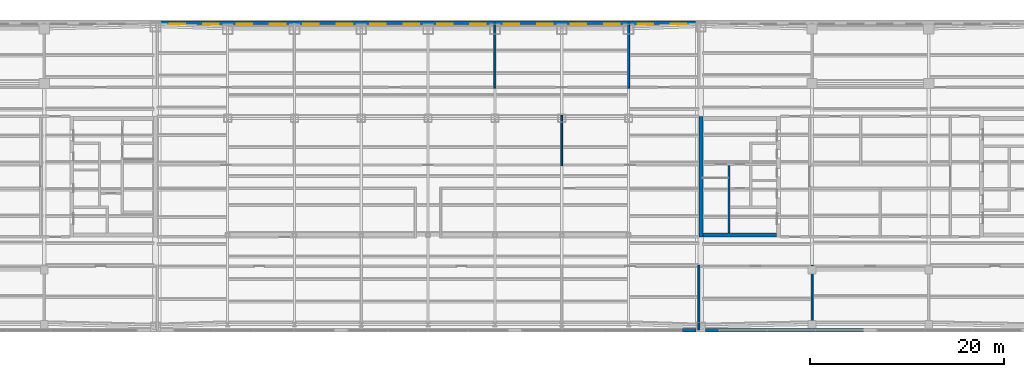
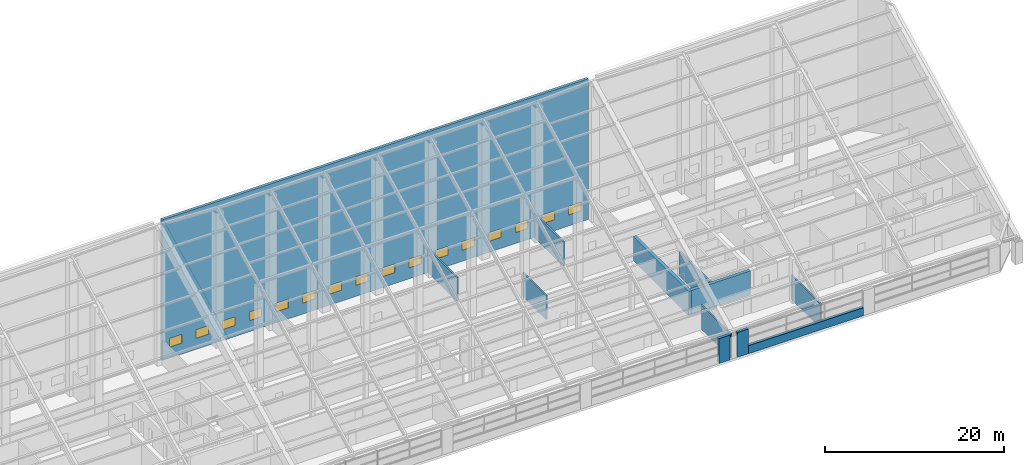
# One storey, part 25 of 28: 16 windows, 12 walls, 16 openings.
"""IFC4 building model written with IfcOpenShell, lengths in metres."""

from ifc_helpers import new_model, si_unit, direction, frame, frame_2d, origin, place, context, subcontext, project, spatial, rectangle, extrude, material, layer, layer_set, type_object, element, fill, save


model = new_model("IFC4")

# Units and contexts
model_context = context("Model", 3, precision=1e-05, world=origin(), true_north=direction((0.0, 1.0)))
body_context = subcontext(model_context, "Body", "Model", "MODEL_VIEW")
ifc_project = project(units=[si_unit("LENGTHUNIT", "METRE"), si_unit("AREAUNIT", "SQUARE_METRE"), si_unit("VOLUMEUNIT", "CUBIC_METRE"), si_unit("PLANEANGLEUNIT", "RADIAN"), si_unit("MASSUNIT", "GRAM", prefix="KILO")], contexts=[model_context])

# Site, building, storey
site_placement = place(None, origin())
site = spatial("IfcSite", under=ifc_project, at=site_placement, CompositionType="ELEMENT")
building_placement = place(site_placement, origin())
building = spatial("IfcBuilding", under=site, at=building_placement, Name="Tuart Gate Housing", CompositionType="ELEMENT")
storey_placement = place(building_placement, frame((0.0, 0.0, 243.89990234375)))
storey = spatial("IfcBuildingStorey", under=building, at=storey_placement, Name="L68", CompositionType="ELEMENT", Elevation=243.89990234375)

# Walls
ifc_material_1 = material(Name="Brick", Category="masonry")
ifc_layer_1 = layer(ifc_material_1, 0.360107421875)
ifc_layer_set_1 = layer_set([ifc_layer_1], Name="Brick pier and spandrel wall 360")
wall_type_1 = type_object("IfcWallType", Name="Brick pier and spandrel wall 360", PredefinedType="STANDARD", material=ifc_layer_set_1)
wall_1_placement = place(storey_placement, frame((129.64990234375, 54.179931640625, 0.0), z_axis=(0.0, 0.0, 1.0), x_axis=(1.0, 0.0, 0.0)))
element("IfcWall", 1, at=wall_1_placement, inside=storey, type_object=wall_type_1, Name="Crown pier 4", PredefinedType="STANDARD", context=body_context, shape_type="SweptSolid", body=[
    extrude(rectangle(XDim=1.400146484375, YDim=0.360107421875, at=frame_2d((0.7001953125, 0.0))), origin(), (0.0, 0.0, 1.0), 3.39013671875),
])
wall_2_placement = place(storey_placement, frame((132.050048828125, 54.179931640625, 0.0), z_axis=(0.0, 0.0, 1.0), x_axis=(1.0, 0.0, 0.0)))
element("IfcWall", 2, at=wall_2_placement, inside=storey, type_object=wall_type_1, Name="Crown pier 1", PredefinedType="STANDARD", context=body_context, shape_type="SweptSolid", body=[
    extrude(rectangle(XDim=1.39990234375, YDim=0.360107421875, at=frame_2d((0.699951171875, 0.0))), origin(), (0.0, 0.0, 1.0), 3.39013671875),
])
wall_3_placement = place(storey_placement, frame((133.449951171875, 54.179931640625, 0.0), z_axis=(0.0, 0.0, 1.0), x_axis=(1.0, 0.0, 0.0)))
element("IfcWall", 3, at=wall_3_placement, inside=storey, type_object=wall_type_1, Name="Crown sill wall 1", PredefinedType="STANDARD", context=body_context, shape_type="SweptSolid", body=[
    extrude(rectangle(XDim=14.837646484375, YDim=0.360107421875, at=frame_2d((7.4189453125, 0.0))), origin(), (0.0, 0.0, 1.0), 1.10009765625),
])

# Wall, openings, windows
wall_4_placement = place(storey_placement, frame((131.02490234375, 85.820068359375, 0.0), z_axis=(0.0, 0.0, 1.0), x_axis=(-1.0, 0.0, 0.0)))
wall_4 = element("IfcWall", 4, at=wall_4_placement, inside=storey, type_object=wall_type_1, Name="Crown cladding wall BLK-N", PredefinedType="STANDARD", context=body_context, shape_type="SweptSolid", body=[
    extrude(rectangle(XDim=55.0498046875, YDim=0.360107421875, at=frame_2d((27.52490234375, 0.0))), origin(), (0.0, 0.0, 1.0), 19.210205078125),
])
opening_1_placement = place(wall_4_placement, frame((52.506103515625, 0.0, 1.5)))
opening_1 = element("IfcOpeningElement", 5, at=opening_1_placement, cuts=wall_4, Name="Opening W3", PredefinedType="OPENING", context=body_context, shape_type="SweptSolid", body=[
    extrude(rectangle(XDim=1.60009765625, YDim=1.199951171875, at=frame_2d((0.800048828125, 0.60009765625))), frame((0.0, 0.18994140625, 0.0), z_axis=(0.0, -1.0, 0.0), x_axis=(1.0, 0.0, 0.0)), (0.0, 0.0, 1.0), 0.380126953125),
])
opening_2_placement = place(wall_4_placement, frame((49.06884765625, 0.0, 1.5)))
opening_2 = element("IfcOpeningElement", 6, at=opening_2_placement, cuts=wall_4, Name="Opening W3", PredefinedType="OPENING", context=body_context, shape_type="SweptSolid", body=[
    extrude(rectangle(XDim=1.60009765625, YDim=1.199951171875, at=frame_2d((0.800048828125, 0.60009765625))), frame((0.0, 0.18994140625, 0.0), z_axis=(0.0, -1.0, 0.0), x_axis=(1.0, 0.0, 0.0)), (0.0, 0.0, 1.0), 0.380126953125),
])
opening_3_placement = place(wall_4_placement, frame((45.631103515625, 0.0, 1.5)))
opening_3 = element("IfcOpeningElement", 7, at=opening_3_placement, cuts=wall_4, Name="Opening W3", PredefinedType="OPENING", context=body_context, shape_type="SweptSolid", body=[
    extrude(rectangle(XDim=1.60009765625, YDim=1.199951171875, at=frame_2d((0.800048828125, 0.60009765625))), frame((0.0, 0.18994140625, 0.0), z_axis=(0.0, -1.0, 0.0), x_axis=(1.0, 0.0, 0.0)), (0.0, 0.0, 1.0), 0.380126953125),
])
opening_4_placement = place(wall_4_placement, frame((42.19384765625, 0.0, 1.5)))
opening_4 = element("IfcOpeningElement", 8, at=opening_4_placement, cuts=wall_4, Name="Opening W3", PredefinedType="OPENING", context=body_context, shape_type="SweptSolid", body=[
    extrude(rectangle(XDim=1.60009765625, YDim=1.199951171875, at=frame_2d((0.800048828125, 0.60009765625))), frame((0.0, 0.18994140625, 0.0), z_axis=(0.0, -1.0, 0.0), x_axis=(1.0, 0.0, 0.0)), (0.0, 0.0, 1.0), 0.380126953125),
])
opening_5_placement = place(wall_4_placement, frame((38.756103515625, 0.0, 1.5)))
opening_5 = element("IfcOpeningElement", 9, at=opening_5_placement, cuts=wall_4, Name="Opening W3", PredefinedType="OPENING", context=body_context, shape_type="SweptSolid", body=[
    extrude(rectangle(XDim=1.60009765625, YDim=1.199951171875, at=frame_2d((0.800048828125, 0.60009765625))), frame((0.0, 0.18994140625, 0.0), z_axis=(0.0, -1.0, 0.0), x_axis=(1.0, 0.0, 0.0)), (0.0, 0.0, 1.0), 0.380126953125),
])
opening_6_placement = place(wall_4_placement, frame((35.31884765625, 0.0, 1.5)))
opening_6 = element("IfcOpeningElement", 10, at=opening_6_placement, cuts=wall_4, Name="Opening W3", PredefinedType="OPENING", context=body_context, shape_type="SweptSolid", body=[
    extrude(rectangle(XDim=1.60009765625, YDim=1.199951171875, at=frame_2d((0.800048828125, 0.60009765625))), frame((0.0, 0.18994140625, 0.0), z_axis=(0.0, -1.0, 0.0), x_axis=(1.0, 0.0, 0.0)), (0.0, 0.0, 1.0), 0.380126953125),
])
opening_7_placement = place(wall_4_placement, frame((31.881103515625, 0.0, 1.5)))
opening_7 = element("IfcOpeningElement", 11, at=opening_7_placement, cuts=wall_4, Name="Opening W3", PredefinedType="OPENING", context=body_context, shape_type="SweptSolid", body=[
    extrude(rectangle(XDim=1.60009765625, YDim=1.199951171875, at=frame_2d((0.800048828125, 0.60009765625))), frame((0.0, 0.18994140625, 0.0), z_axis=(0.0, -1.0, 0.0), x_axis=(1.0, 0.0, 0.0)), (0.0, 0.0, 1.0), 0.380126953125),
])
opening_8_placement = place(wall_4_placement, frame((28.44384765625, 0.0, 1.5)))
opening_8 = element("IfcOpeningElement", 12, at=opening_8_placement, cuts=wall_4, Name="Opening W3", PredefinedType="OPENING", context=body_context, shape_type="SweptSolid", body=[
    extrude(rectangle(XDim=1.60009765625, YDim=1.199951171875, at=frame_2d((0.800048828125, 0.60009765625))), frame((0.0, 0.18994140625, 0.0), z_axis=(0.0, -1.0, 0.0), x_axis=(1.0, 0.0, 0.0)), (0.0, 0.0, 1.0), 0.380126953125),
])
opening_9_placement = place(wall_4_placement, frame((25.006103515625, 0.0, 1.5)))
opening_9 = element("IfcOpeningElement", 13, at=opening_9_placement, cuts=wall_4, Name="Opening W3", PredefinedType="OPENING", context=body_context, shape_type="SweptSolid", body=[
    extrude(rectangle(XDim=1.60009765625, YDim=1.199951171875, at=frame_2d((0.800048828125, 0.60009765625))), frame((0.0, 0.18994140625, 0.0), z_axis=(0.0, -1.0, 0.0), x_axis=(1.0, 0.0, 0.0)), (0.0, 0.0, 1.0), 0.380126953125),
])
opening_10_placement = place(wall_4_placement, frame((21.56884765625, 0.0, 1.5)))
opening_10 = element("IfcOpeningElement", 14, at=opening_10_placement, cuts=wall_4, Name="Opening W3", PredefinedType="OPENING", context=body_context, shape_type="SweptSolid", body=[
    extrude(rectangle(XDim=1.60009765625, YDim=1.199951171875, at=frame_2d((0.800048828125, 0.60009765625))), frame((0.0, 0.18994140625, 0.0), z_axis=(0.0, -1.0, 0.0), x_axis=(1.0, 0.0, 0.0)), (0.0, 0.0, 1.0), 0.380126953125),
])
opening_11_placement = place(wall_4_placement, frame((18.131103515625, 0.0, 1.5)))
opening_11 = element("IfcOpeningElement", 15, at=opening_11_placement, cuts=wall_4, Name="Opening W3", PredefinedType="OPENING", context=body_context, shape_type="SweptSolid", body=[
    extrude(rectangle(XDim=1.60009765625, YDim=1.199951171875, at=frame_2d((0.800048828125, 0.60009765625))), frame((0.0, 0.18994140625, 0.0), z_axis=(0.0, -1.0, 0.0), x_axis=(1.0, 0.0, 0.0)), (0.0, 0.0, 1.0), 0.380126953125),
])
opening_12_placement = place(wall_4_placement, frame((14.69384765625, 0.0, 1.5)))
opening_12 = element("IfcOpeningElement", 16, at=opening_12_placement, cuts=wall_4, Name="Opening W3", PredefinedType="OPENING", context=body_context, shape_type="SweptSolid", body=[
    extrude(rectangle(XDim=1.60009765625, YDim=1.199951171875, at=frame_2d((0.800048828125, 0.60009765625))), frame((0.0, 0.18994140625, 0.0), z_axis=(0.0, -1.0, 0.0), x_axis=(1.0, 0.0, 0.0)), (0.0, 0.0, 1.0), 0.380126953125),
])
opening_13_placement = place(wall_4_placement, frame((11.256103515625, 0.0, 1.5)))
opening_13 = element("IfcOpeningElement", 17, at=opening_13_placement, cuts=wall_4, Name="Opening W3", PredefinedType="OPENING", context=body_context, shape_type="SweptSolid", body=[
    extrude(rectangle(XDim=1.60009765625, YDim=1.199951171875, at=frame_2d((0.800048828125, 0.60009765625))), frame((0.0, 0.18994140625, 0.0), z_axis=(0.0, -1.0, 0.0), x_axis=(1.0, 0.0, 0.0)), (0.0, 0.0, 1.0), 0.380126953125),
])
opening_14_placement = place(wall_4_placement, frame((7.81884765625, 0.0, 1.5)))
opening_14 = element("IfcOpeningElement", 18, at=opening_14_placement, cuts=wall_4, Name="Opening W3", PredefinedType="OPENING", context=body_context, shape_type="SweptSolid", body=[
    extrude(rectangle(XDim=1.60009765625, YDim=1.199951171875, at=frame_2d((0.800048828125, 0.60009765625))), frame((0.0, 0.18994140625, 0.0), z_axis=(0.0, -1.0, 0.0), x_axis=(1.0, 0.0, 0.0)), (0.0, 0.0, 1.0), 0.380126953125),
])
opening_15_placement = place(wall_4_placement, frame((4.381103515625, 0.0, 1.5)))
opening_15 = element("IfcOpeningElement", 19, at=opening_15_placement, cuts=wall_4, Name="Opening W3", PredefinedType="OPENING", context=body_context, shape_type="SweptSolid", body=[
    extrude(rectangle(XDim=1.60009765625, YDim=1.199951171875, at=frame_2d((0.800048828125, 0.60009765625))), frame((0.0, 0.18994140625, 0.0), z_axis=(0.0, -1.0, 0.0), x_axis=(1.0, 0.0, 0.0)), (0.0, 0.0, 1.0), 0.380126953125),
])
opening_16_placement = place(wall_4_placement, frame((0.94384765625, 0.0, 1.5)))
opening_16 = element("IfcOpeningElement", 20, at=opening_16_placement, cuts=wall_4, Name="Opening W3", PredefinedType="OPENING", context=body_context, shape_type="SweptSolid", body=[
    extrude(rectangle(XDim=1.60009765625, YDim=1.199951171875, at=frame_2d((0.800048828125, 0.60009765625))), frame((0.0, 0.18994140625, 0.0), z_axis=(0.0, -1.0, 0.0), x_axis=(1.0, 0.0, 0.0)), (0.0, 0.0, 1.0), 0.380126953125),
])
ifc_material_2 = material(Name="Aluminium louvre blades", Category="aluminium")
window_type = type_object("IfcWindowType", Name="Louvre window 1600 x 1200", PartitioningType="DOUBLE_PANEL_HORIZONTAL", PredefinedType="WINDOW", material=ifc_material_2)
window_1_placement = place(opening_1_placement, origin())
window_1 = element("IfcWindow", 21, at=window_1_placement, inside=storey, type_object=window_type, Name="Louvre W3", OverallHeight=1.199951171875, OverallWidth=1.60009765625, PartitioningType="DOUBLE_PANEL_HORIZONTAL", PredefinedType="WINDOW", context=body_context, shape_type="SweptSolid", body=[
    extrude(rectangle(XDim=1.60009765625, YDim=1.199951171875, at=frame_2d((0.800048828125, 0.60009765625))), frame((0.0, 0.150146484375, 0.0), z_axis=(0.0, -1.0, 0.0), x_axis=(1.0, 0.0, 0.0)), (0.0, 0.0, 1.0), 0.06005859375),
])
fill(opening_1, window_1)
window_2_placement = place(opening_2_placement, origin())
window_2 = element("IfcWindow", 22, at=window_2_placement, inside=storey, type_object=window_type, Name="Louvre W3", OverallHeight=1.199951171875, OverallWidth=1.60009765625, PartitioningType="DOUBLE_PANEL_HORIZONTAL", PredefinedType="WINDOW", context=body_context, shape_type="SweptSolid", body=[
    extrude(rectangle(XDim=1.60009765625, YDim=1.199951171875, at=frame_2d((0.800048828125, 0.60009765625))), frame((0.0, 0.150146484375, 0.0), z_axis=(0.0, -1.0, 0.0), x_axis=(1.0, 0.0, 0.0)), (0.0, 0.0, 1.0), 0.06005859375),
])
fill(opening_2, window_2)
window_3_placement = place(opening_3_placement, origin())
window_3 = element("IfcWindow", 23, at=window_3_placement, inside=storey, type_object=window_type, Name="Louvre W3", OverallHeight=1.199951171875, OverallWidth=1.60009765625, PartitioningType="DOUBLE_PANEL_HORIZONTAL", PredefinedType="WINDOW", context=body_context, shape_type="SweptSolid", body=[
    extrude(rectangle(XDim=1.60009765625, YDim=1.199951171875, at=frame_2d((0.800048828125, 0.60009765625))), frame((0.0, 0.150146484375, 0.0), z_axis=(0.0, -1.0, 0.0), x_axis=(1.0, 0.0, 0.0)), (0.0, 0.0, 1.0), 0.06005859375),
])
fill(opening_3, window_3)
window_4_placement = place(opening_4_placement, origin())
window_4 = element("IfcWindow", 24, at=window_4_placement, inside=storey, type_object=window_type, Name="Louvre W3", OverallHeight=1.199951171875, OverallWidth=1.60009765625, PartitioningType="DOUBLE_PANEL_HORIZONTAL", PredefinedType="WINDOW", context=body_context, shape_type="SweptSolid", body=[
    extrude(rectangle(XDim=1.60009765625, YDim=1.199951171875, at=frame_2d((0.800048828125, 0.60009765625))), frame((0.0, 0.150146484375, 0.0), z_axis=(0.0, -1.0, 0.0), x_axis=(1.0, 0.0, 0.0)), (0.0, 0.0, 1.0), 0.06005859375),
])
fill(opening_4, window_4)
window_5_placement = place(opening_5_placement, origin())
window_5 = element("IfcWindow", 25, at=window_5_placement, inside=storey, type_object=window_type, Name="Louvre W3", OverallHeight=1.199951171875, OverallWidth=1.60009765625, PartitioningType="DOUBLE_PANEL_HORIZONTAL", PredefinedType="WINDOW", context=body_context, shape_type="SweptSolid", body=[
    extrude(rectangle(XDim=1.60009765625, YDim=1.199951171875, at=frame_2d((0.800048828125, 0.60009765625))), frame((0.0, 0.150146484375, 0.0), z_axis=(0.0, -1.0, 0.0), x_axis=(1.0, 0.0, 0.0)), (0.0, 0.0, 1.0), 0.06005859375),
])
fill(opening_5, window_5)
window_6_placement = place(opening_6_placement, origin())
window_6 = element("IfcWindow", 26, at=window_6_placement, inside=storey, type_object=window_type, Name="Louvre W3", OverallHeight=1.199951171875, OverallWidth=1.60009765625, PartitioningType="DOUBLE_PANEL_HORIZONTAL", PredefinedType="WINDOW", context=body_context, shape_type="SweptSolid", body=[
    extrude(rectangle(XDim=1.60009765625, YDim=1.199951171875, at=frame_2d((0.800048828125, 0.60009765625))), frame((0.0, 0.150146484375, 0.0), z_axis=(0.0, -1.0, 0.0), x_axis=(1.0, 0.0, 0.0)), (0.0, 0.0, 1.0), 0.06005859375),
])
fill(opening_6, window_6)
window_7_placement = place(opening_7_placement, origin())
window_7 = element("IfcWindow", 27, at=window_7_placement, inside=storey, type_object=window_type, Name="Louvre W3", OverallHeight=1.199951171875, OverallWidth=1.60009765625, PartitioningType="DOUBLE_PANEL_HORIZONTAL", PredefinedType="WINDOW", context=body_context, shape_type="SweptSolid", body=[
    extrude(rectangle(XDim=1.60009765625, YDim=1.199951171875, at=frame_2d((0.800048828125, 0.60009765625))), frame((0.0, 0.150146484375, 0.0), z_axis=(0.0, -1.0, 0.0), x_axis=(1.0, 0.0, 0.0)), (0.0, 0.0, 1.0), 0.06005859375),
])
fill(opening_7, window_7)
window_8_placement = place(opening_8_placement, origin())
window_8 = element("IfcWindow", 28, at=window_8_placement, inside=storey, type_object=window_type, Name="Louvre W3", OverallHeight=1.199951171875, OverallWidth=1.60009765625, PartitioningType="DOUBLE_PANEL_HORIZONTAL", PredefinedType="WINDOW", context=body_context, shape_type="SweptSolid", body=[
    extrude(rectangle(XDim=1.60009765625, YDim=1.199951171875, at=frame_2d((0.800048828125, 0.60009765625))), frame((0.0, 0.150146484375, 0.0), z_axis=(0.0, -1.0, 0.0), x_axis=(1.0, 0.0, 0.0)), (0.0, 0.0, 1.0), 0.06005859375),
])
fill(opening_8, window_8)
window_9_placement = place(opening_9_placement, origin())
window_9 = element("IfcWindow", 29, at=window_9_placement, inside=storey, type_object=window_type, Name="Louvre W3", OverallHeight=1.199951171875, OverallWidth=1.60009765625, PartitioningType="DOUBLE_PANEL_HORIZONTAL", PredefinedType="WINDOW", context=body_context, shape_type="SweptSolid", body=[
    extrude(rectangle(XDim=1.60009765625, YDim=1.199951171875, at=frame_2d((0.800048828125, 0.60009765625))), frame((0.0, 0.150146484375, 0.0), z_axis=(0.0, -1.0, 0.0), x_axis=(1.0, 0.0, 0.0)), (0.0, 0.0, 1.0), 0.06005859375),
])
fill(opening_9, window_9)
window_10_placement = place(opening_10_placement, origin())
window_10 = element("IfcWindow", 30, at=window_10_placement, inside=storey, type_object=window_type, Name="Louvre W3", OverallHeight=1.199951171875, OverallWidth=1.60009765625, PartitioningType="DOUBLE_PANEL_HORIZONTAL", PredefinedType="WINDOW", context=body_context, shape_type="SweptSolid", body=[
    extrude(rectangle(XDim=1.60009765625, YDim=1.199951171875, at=frame_2d((0.800048828125, 0.60009765625))), frame((0.0, 0.150146484375, 0.0), z_axis=(0.0, -1.0, 0.0), x_axis=(1.0, 0.0, 0.0)), (0.0, 0.0, 1.0), 0.06005859375),
])
fill(opening_10, window_10)
window_11_placement = place(opening_11_placement, origin())
window_11 = element("IfcWindow", 31, at=window_11_placement, inside=storey, type_object=window_type, Name="Louvre W3", OverallHeight=1.199951171875, OverallWidth=1.60009765625, PartitioningType="DOUBLE_PANEL_HORIZONTAL", PredefinedType="WINDOW", context=body_context, shape_type="SweptSolid", body=[
    extrude(rectangle(XDim=1.60009765625, YDim=1.199951171875, at=frame_2d((0.800048828125, 0.60009765625))), frame((0.0, 0.150146484375, 0.0), z_axis=(0.0, -1.0, 0.0), x_axis=(1.0, 0.0, 0.0)), (0.0, 0.0, 1.0), 0.06005859375),
])
fill(opening_11, window_11)
window_12_placement = place(opening_12_placement, origin())
window_12 = element("IfcWindow", 32, at=window_12_placement, inside=storey, type_object=window_type, Name="Louvre W3", OverallHeight=1.199951171875, OverallWidth=1.60009765625, PartitioningType="DOUBLE_PANEL_HORIZONTAL", PredefinedType="WINDOW", context=body_context, shape_type="SweptSolid", body=[
    extrude(rectangle(XDim=1.60009765625, YDim=1.199951171875, at=frame_2d((0.800048828125, 0.60009765625))), frame((0.0, 0.150146484375, 0.0), z_axis=(0.0, -1.0, 0.0), x_axis=(1.0, 0.0, 0.0)), (0.0, 0.0, 1.0), 0.06005859375),
])
fill(opening_12, window_12)
window_13_placement = place(opening_13_placement, origin())
window_13 = element("IfcWindow", 33, at=window_13_placement, inside=storey, type_object=window_type, Name="Louvre W3", OverallHeight=1.199951171875, OverallWidth=1.60009765625, PartitioningType="DOUBLE_PANEL_HORIZONTAL", PredefinedType="WINDOW", context=body_context, shape_type="SweptSolid", body=[
    extrude(rectangle(XDim=1.60009765625, YDim=1.199951171875, at=frame_2d((0.800048828125, 0.60009765625))), frame((0.0, 0.150146484375, 0.0), z_axis=(0.0, -1.0, 0.0), x_axis=(1.0, 0.0, 0.0)), (0.0, 0.0, 1.0), 0.06005859375),
])
fill(opening_13, window_13)
window_14_placement = place(opening_14_placement, origin())
window_14 = element("IfcWindow", 34, at=window_14_placement, inside=storey, type_object=window_type, Name="Louvre W3", OverallHeight=1.199951171875, OverallWidth=1.60009765625, PartitioningType="DOUBLE_PANEL_HORIZONTAL", PredefinedType="WINDOW", context=body_context, shape_type="SweptSolid", body=[
    extrude(rectangle(XDim=1.60009765625, YDim=1.199951171875, at=frame_2d((0.800048828125, 0.60009765625))), frame((0.0, 0.150146484375, 0.0), z_axis=(0.0, -1.0, 0.0), x_axis=(1.0, 0.0, 0.0)), (0.0, 0.0, 1.0), 0.06005859375),
])
fill(opening_14, window_14)
window_15_placement = place(opening_15_placement, origin())
window_15 = element("IfcWindow", 35, at=window_15_placement, inside=storey, type_object=window_type, Name="Louvre W3", OverallHeight=1.199951171875, OverallWidth=1.60009765625, PartitioningType="DOUBLE_PANEL_HORIZONTAL", PredefinedType="WINDOW", context=body_context, shape_type="SweptSolid", body=[
    extrude(rectangle(XDim=1.60009765625, YDim=1.199951171875, at=frame_2d((0.800048828125, 0.60009765625))), frame((0.0, 0.150146484375, 0.0), z_axis=(0.0, -1.0, 0.0), x_axis=(1.0, 0.0, 0.0)), (0.0, 0.0, 1.0), 0.06005859375),
])
fill(opening_15, window_15)
window_16_placement = place(opening_16_placement, origin())
window_16 = element("IfcWindow", 36, at=window_16_placement, inside=storey, type_object=window_type, Name="Louvre W3", OverallHeight=1.199951171875, OverallWidth=1.60009765625, PartitioningType="DOUBLE_PANEL_HORIZONTAL", PredefinedType="WINDOW", context=body_context, shape_type="SweptSolid", body=[
    extrude(rectangle(XDim=1.60009765625, YDim=1.199951171875, at=frame_2d((0.800048828125, 0.60009765625))), frame((0.0, 0.150146484375, 0.0), z_axis=(0.0, -1.0, 0.0), x_axis=(1.0, 0.0, 0.0)), (0.0, 0.0, 1.0), 0.06005859375),
])
fill(opening_16, window_16)

# Walls
ifc_material_3 = material(Name="Concrete C40", Category="concrete")
ifc_layer_2 = layer(ifc_material_3, 0.25)
ifc_layer_set_2 = layer_set([ifc_layer_2], Name="Core wall 250 C40")
wall_type_2 = type_object("IfcWallType", Name="Core wall 250 C40", PredefinedType="SHEAR", material=ifc_layer_set_2)
wall_5_placement = place(storey_placement, frame((134.4599609375, 64.199951171875, 0.0), z_axis=(0.0, 0.0, 1.0), x_axis=(0.0, 1.0, 0.0)))
element("IfcWall", 37, at=wall_5_placement, inside=storey, type_object=wall_type_2, Name="Core wall BG.8", PredefinedType="SHEAR", context=body_context, shape_type="SweptSolid", body=[
    extrude(rectangle(XDim=6.925048828125, YDim=0.25, at=frame_2d((3.46240234375, 0.0))), origin(), (0.0, 0.0, 1.0), 3.300048828125),
])
ifc_material_4 = material(Name="Concrete C40", Category="concrete")
ifc_layer_3 = layer(ifc_material_4, 0.39990234375)
ifc_layer_set_3 = layer_set([ifc_layer_3], Name="Core wall 400 C40")
wall_type_3 = type_object("IfcWallType", Name="Core wall 400 C40", PredefinedType="SHEAR", material=ifc_layer_set_3)
wall_6_placement = place(storey_placement, frame((131.56005859375, 63.800048828125, 0.0), z_axis=(0.0, 0.0, 1.0), x_axis=(0.0, 1.0, 0.0)))
element("IfcWall", 38, at=wall_6_placement, inside=storey, type_object=wall_type_3, Name="Core wall BG back", PredefinedType="SHEAR", context=body_context, shape_type="SweptSolid", body=[
    extrude(rectangle(XDim=12.39990234375, YDim=0.39990234375, at=frame_2d((6.199951171875, 0.0))), origin(), (0.0, 0.0, 1.0), 3.300048828125),
])
wall_7_placement = place(storey_placement, frame((139.360107421875, 64.0, 0.0), z_axis=(0.0, 0.0, 1.0), x_axis=(-1.0, 0.0, 0.0)))
element("IfcWall", 39, at=wall_7_placement, inside=storey, type_object=wall_type_3, Name="Core wall BG south", PredefinedType="SHEAR", context=body_context, shape_type="SweptSolid", body=[
    extrude(rectangle(XDim=7.60009765625, YDim=0.39990234375, at=frame_2d((3.800048828125, 0.0))), origin(), (0.0, 0.0, 1.0), 3.300048828125),
])
ifc_material_5 = material(Name="Concrete masonry 15 MPa", Category="masonry")
ifc_layer_4 = layer(ifc_material_5, 0.199951171875)
ifc_layer_set_4 = layer_set([ifc_layer_4], Name="Enclosure wall masonry 200")
wall_type_4 = type_object("IfcWallType", Name="Enclosure wall masonry 200", PredefinedType="PARTITIONING", material=ifc_layer_set_4)
wall_8_placement = place(storey_placement, frame((110.375, 79.10009765625, 0.0), z_axis=(0.0, 0.0, 1.0), x_axis=(0.0, 1.0, 0.0)))
element("IfcWall", 40, at=wall_8_placement, inside=storey, type_object=wall_type_4, Name="Enclosure wall masonry 200", PredefinedType="PARTITIONING", context=body_context, shape_type="SweptSolid", body=[
    extrude(rectangle(XDim=6.659912109375, YDim=0.199951171875, at=frame_2d((3.330078125, 0.0))), origin(), (0.0, 0.0, 1.0), 3.300048828125),
])
wall_9_placement = place(storey_placement, frame((117.25, 71.10009765625, 0.0), z_axis=(0.0, 0.0, 1.0), x_axis=(0.0, 1.0, 0.0)))
element("IfcWall", 41, at=wall_9_placement, inside=storey, type_object=wall_type_4, Name="Enclosure wall masonry 200", PredefinedType="PARTITIONING", context=body_context, shape_type="SweptSolid", body=[
    extrude(rectangle(XDim=5.199951171875, YDim=0.199951171875, at=frame_2d((2.60009765625, 0.0))), origin(), (0.0, 0.0, 1.0), 3.300048828125),
])
for number, where, z_axis, x_axis, name in (
    (42, (124.125, 79.10009765625, 0.0), (0.0, 0.0, 1.0), (0.0, 1.0, 0.0), "Enclosure wall masonry 200"),
    (43, (131.360107421875, 54.239990234375, 0.0), (0.0, 0.0, 1.0), (0.0, 1.0, 0.0), "Enclosure wall masonry 200"),
    (44, (143.0, 54.239990234375, 0.0), (0.0, 0.0, 1.0), (0.0, 1.0, 0.0), "Enclosure wall masonry 200"),
):
    element("IfcWall", number, at=place(storey_placement, frame(where, z_axis=z_axis, x_axis=x_axis)), inside=storey, type_object=wall_type_4, Name=name, PredefinedType="PARTITIONING", context=body_context, shape_type="SweptSolid", body=[
        extrude(rectangle(XDim=6.659912109375, YDim=0.199951171875, at=frame_2d((3.330078125, 0.0))), origin(), (0.0, 0.0, 1.0), 3.300048828125),
    ])

save(model, "model.ifc")
